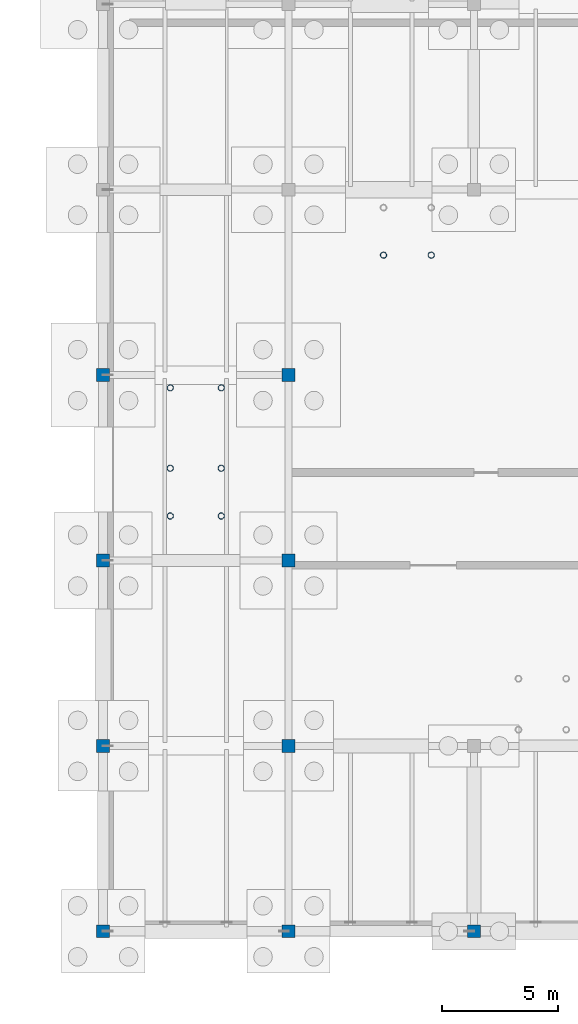
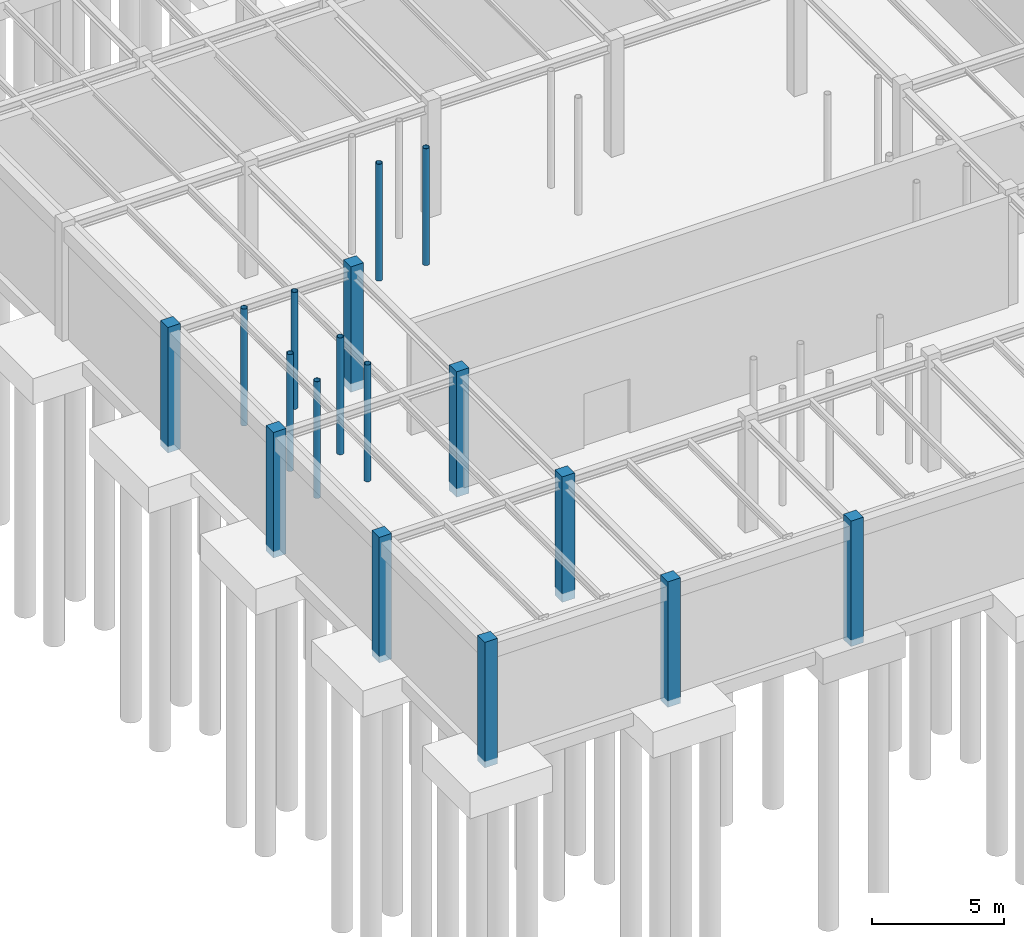
# One storey, part 12 of 71: 17 columns.
"""IFC4 building model written with IfcOpenShell, lengths in metres."""

from ifc_helpers import new_model, si_unit, direction, frame, origin, origin_2d, place, context, subcontext, project, spatial, rectangle, hollow_circle, extrude, material, material_profile, profile_set, type_object, element, save


model = new_model("IFC4")

# Units and contexts
model_context = context("Model", 3, precision=1e-05, world=origin(), true_north=direction((0.0, 1.0)))
body_context = subcontext(model_context, "Body", "Model", "MODEL_VIEW")
ifc_project = project(units=[si_unit("LENGTHUNIT", "METRE"), si_unit("AREAUNIT", "SQUARE_METRE"), si_unit("VOLUMEUNIT", "CUBIC_METRE"), si_unit("PLANEANGLEUNIT", "RADIAN"), si_unit("MASSUNIT", "GRAM", prefix="KILO")], contexts=[model_context])

# Site, building, storey
site_placement = place(None, origin())
site = spatial("IfcSite", under=ifc_project, at=site_placement, CompositionType="ELEMENT")
building_placement = place(site_placement, origin())
building = spatial("IfcBuilding", under=site, at=building_placement, Name="Sundkrona Museum", CompositionType="ELEMENT")
storey_placement = place(building_placement, frame((0.0, 0.0, -5.39990234375)))
storey = spatial("IfcBuildingStorey", under=building, at=storey_placement, Name="B1", CompositionType="ELEMENT", Elevation=-5.39990234375)

# Columns
ifc_material_1 = material(Name="Steel S355J2", Category="steel")
ifc_material_profile_1 = material_profile(ifc_material_1, hollow_circle(Radius=0.136474609375, WallThickness=0.012451171875, at=origin_2d()), Name="CHS 273.0x12.5")
ifc_profile_set_1 = profile_set([ifc_material_profile_1], Name="Steel S355J2")
column_type_1 = type_object("IfcColumnType", Name="C-CHS273", PredefinedType="COLUMN", material=ifc_profile_set_1)
for number, where, z_axis, x_axis, name in (
    (1, (85.10009765625, 17.919921875, 0.0), (0.0, 0.0, 1.0), (1.0, 0.0, 0.0), "B1 Feature Stair FS-2 Column S1-1"),
    (2, (82.89990234375, 17.919921875, 0.0), (0.0, 0.0, 1.0), (1.0, 0.0, 0.0), "B1 Feature Stair FS-2 Column S1-2"),
    (3, (85.10009765625, 19.97998046875, 0.0), (0.0, 0.0, 1.0), (1.0, 0.0, 0.0), "B1 Feature Stair FS-2 Column S2-1"),
    (4, (82.89990234375, 19.97998046875, 0.0), (0.0, 0.0, 1.0), (1.0, 0.0, 0.0), "B1 Feature Stair FS-2 Column S2-2"),
    (5, (85.10009765625, 23.449951171875, 0.0), (0.0, 0.0, 1.0), (1.0, 0.0, 0.0), "B1 Feature Stair FS-2 Column S3-1"),
    (6, (82.89990234375, 23.449951171875, 0.0), (0.0, 0.0, 1.0), (1.0, 0.0, 0.0), "B1 Feature Stair FS-2 Column S3-2"),
    (7, (92.10009765625, 29.175048828125, 0.0), (0.0, 0.0, 1.0), (1.0, 0.0, 0.0), "B1 Feature Stair FS-3 Column S1-1"),
    (8, (94.159912109375, 29.175048828125, 0.0), (0.0, 0.0, 1.0), (1.0, 0.0, 0.0), "B1 Feature Stair FS-3 Column S2-1"),
):
    element("IfcColumn", number, at=place(storey_placement, frame(where, z_axis=z_axis, x_axis=x_axis)), inside=storey, type_object=column_type_1, Name=name, PredefinedType="COLUMN", context=body_context, shape_type="SweptSolid", body=[
        extrude(hollow_circle(Radius=0.136474609375, WallThickness=0.012451171875, at=origin_2d()), origin(), (0.0, 0.0, 1.0), 5.39990234375),
    ])
ifc_material_2 = material(Name="Concrete C40/50", Category="concrete")
ifc_material_profile_2 = material_profile(ifc_material_2, rectangle(XDim=0.550048828125, YDim=0.550048828125, at=origin_2d()), Name="RC 550x550")
ifc_profile_set_2 = profile_set([ifc_material_profile_2], Name="Concrete C40/50")
column_type_2 = type_object("IfcColumnType", Name="C-RC550", PredefinedType="COLUMN", material=ifc_profile_set_2)
for number, where, z_axis, x_axis, name in (
    (9, (80.0, 0.0, -0.400146484375), (0.0, 0.0, 1.0), (1.0, 0.0, 0.0), "B1 Column A/11"),
    (10, (80.0, 8.0, -0.400146484375), (0.0, 0.0, 1.0), (1.0, 0.0, 0.0), "B1 Column B/11"),
    (11, (80.0, 16.0, -0.400146484375), (0.0, 0.0, 1.0), (1.0, 0.0, 0.0), "B1 Column C/11"),
    (12, (80.0, 24.0, -0.400146484375), (0.0, 0.0, 1.0), (1.0, 0.0, 0.0), "B1 Column D/11"),
    (13, (88.0, 0.0, -0.400146484375), (0.0, 0.0, 1.0), (1.0, 0.0, 0.0), "B1 Column A/12"),
    (14, (88.0, 8.0, -0.400146484375), (0.0, 0.0, 1.0), (1.0, 0.0, 0.0), "B1 Column B/12"),
    (15, (88.0, 16.0, -0.400146484375), (0.0, 0.0, 1.0), (1.0, 0.0, 0.0), "B1 Column C/12"),
    (16, (88.0, 24.0, -0.400146484375), (0.0, 0.0, 1.0), (1.0, 0.0, 0.0), "B1 Column D/12"),
    (17, (96.0, 0.0, -0.400146484375), (0.0, 0.0, 1.0), (1.0, 0.0, 0.0), "B1 Column A/13"),
):
    element("IfcColumn", number, at=place(storey_placement, frame(where, z_axis=z_axis, x_axis=x_axis)), inside=storey, type_object=column_type_2, Name=name, PredefinedType="COLUMN", context=body_context, shape_type="SweptSolid", body=[
        extrude(rectangle(XDim=0.550048828125, YDim=0.550048828125, at=origin_2d()), origin(), (0.0, 0.0, 1.0), 5.800048828125),
    ])

save(model, "model.ifc")
